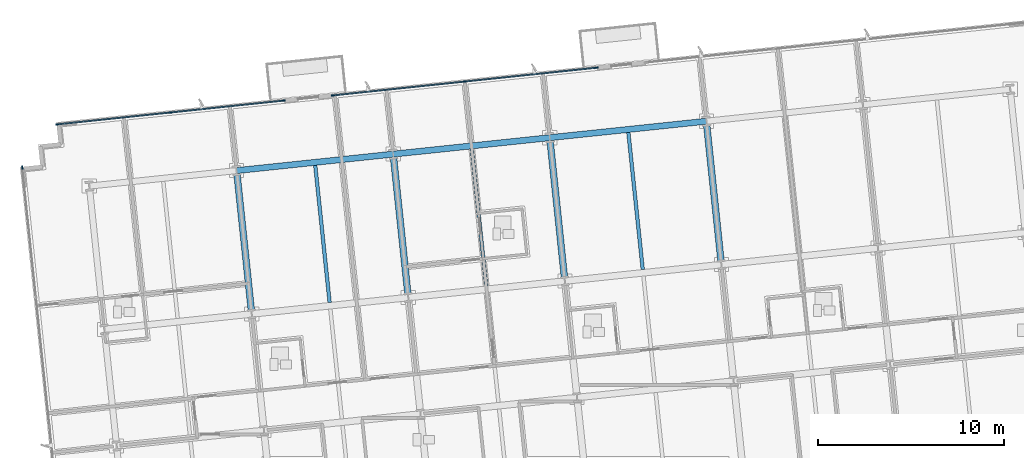
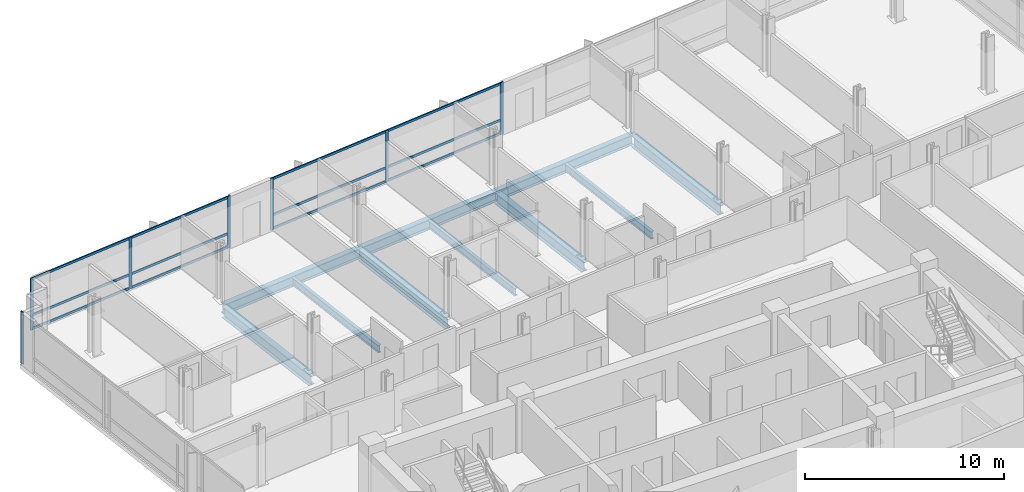
# One storey, part 7 of 19: 19 members, 10 beams, 3 elements without a shape of their own.
"""IFC4 building model written with IfcOpenShell, lengths in metres."""

from ifc_helpers import new_model, si_unit, direction, frame, origin, origin_2d, place, context, subcontext, project, spatial, rectangle, i_section, extrude, material, material_profile, profile_set, type_object, element, aggregate, save


model = new_model("IFC4")

# Units and contexts
model_context = context("Model", 3, precision=1e-05, world=origin(), true_north=direction((0.0, 1.0)))
body_context = subcontext(model_context, "Body", "Model", "MODEL_VIEW")
ifc_project = project(units=[si_unit("LENGTHUNIT", "METRE"), si_unit("AREAUNIT", "SQUARE_METRE"), si_unit("VOLUMEUNIT", "CUBIC_METRE"), si_unit("PLANEANGLEUNIT", "RADIAN"), si_unit("MASSUNIT", "GRAM", prefix="KILO")], contexts=[model_context])

# Site, building, storey
site_placement = place(None, origin())
site = spatial("IfcSite", under=ifc_project, at=site_placement, CompositionType="ELEMENT")
building_placement = place(site_placement, origin())
building = spatial("IfcBuilding", under=site, at=building_placement, Name="Solmavex Isthmus Hotel", CompositionType="ELEMENT")
storey_placement = place(building_placement, frame((0.0, 0.0, 83.550048828125)))
storey = spatial("IfcBuildingStorey", under=building, at=storey_placement, Name="L22", CompositionType="ELEMENT", Elevation=83.550048828125)

# Beams
ifc_material_1 = material(Name="Steel ASTM A992 Grade 50", Category="steel")
ifc_material_profile_1 = material_profile(ifc_material_1, i_section(OverallWidth=0.354736328125, OverallDepth=0.695556640625, WebThickness=0.015380859375, FlangeThickness=0.02490234375, FilletRadius=0.017822265625, at=origin_2d()), Name="W27X146")
ifc_profile_set_1 = profile_set([ifc_material_profile_1], Name="Steel ASTM A992 Grade 50")
beam_type_1 = type_object("IfcBeamType", Name="BM-BG-W27X146", PredefinedType="BEAM", material=ifc_profile_set_1)
for number, where, z_axis, x_axis, name in (
    (1, (-13.135498046875, 8.55859375, -0.60791015625), (-0.1045578893, 0.994518802128, 0.0), (-0.994518802128, -0.1045578893, 0.0), "Floor Beam L22-VG31"),
    (2, (-4.716064453125, 9.443603515625, -0.60791015625), (-0.104525307271, 0.994522227072, 0.0), (-0.994522227072, -0.104525307271, 0.0), "Floor Beam L22-VG35"),
):
    element("IfcBeam", number, at=place(storey_placement, frame(where, z_axis=z_axis, x_axis=x_axis)), inside=storey, type_object=beam_type_1, Name=name, PredefinedType="BEAM", context=body_context, shape_type="SweptSolid", body=[
        extrude(i_section(OverallWidth=0.354736328125, OverallDepth=0.695556640625, WebThickness=0.015380859375, FlangeThickness=0.02490234375, FilletRadius=0.017822265625, at=origin_2d()), origin(), (0.0, 0.0, 1.0), 7.4111328125),
    ])
beam_1_placement = place(storey_placement, frame((3.70361328125, 10.328369140625, -0.60791015625), z_axis=(-0.10452188296, 0.994522586964, 0.0), x_axis=(-0.994522586964, -0.10452188296, 0.0)))
element("IfcBeam", 3, at=beam_1_placement, inside=storey, type_object=beam_type_1, Name="Floor Beam L22-VG39", PredefinedType="BEAM", context=body_context, shape_type="SweptSolid", body=[
    extrude(i_section(OverallWidth=0.354736328125, OverallDepth=0.695556640625, WebThickness=0.015380859375, FlangeThickness=0.02490234375, FilletRadius=0.017822265625, at=origin_2d()), origin(), (0.0, 0.0, 1.0), 7.411376953125),
])
beam_2_placement = place(storey_placement, frame((12.123291015625, 11.21337890625, -0.60791015625), z_axis=(-0.104525307271, 0.994522227072, 0.0), x_axis=(-0.994522227072, -0.104525307271, 0.0)))
element("IfcBeam", 4, at=beam_2_placement, inside=storey, type_object=beam_type_1, Name="Floor Beam L22-VG42", PredefinedType="BEAM", context=body_context, shape_type="SweptSolid", body=[
    extrude(i_section(OverallWidth=0.354736328125, OverallDepth=0.695556640625, WebThickness=0.015380859375, FlangeThickness=0.02490234375, FilletRadius=0.017822265625, at=origin_2d()), origin(), (0.0, 0.0, 1.0), 7.4111328125),
])
ifc_material_profile_2 = material_profile(ifc_material_1, i_section(OverallWidth=0.1904296875, OverallDepth=0.456787109375, WebThickness=0.009033203125, FlangeThickness=0.014404296875, FilletRadius=0.0126953125, at=origin_2d()), Name="W18X50")
ifc_profile_set_2 = profile_set([ifc_material_profile_2], Name="Steel ASTM A992 Grade 50")
beam_type_2 = type_object("IfcBeamType", Name="BM-BJ-W18X50", PredefinedType="JOIST", material=ifc_profile_set_2)
beam_3_placement = place(storey_placement, frame((-8.92578125, 9.0009765625, -0.488525390625), z_axis=(-0.10452188296, 0.994522586964, 0.0), x_axis=(-0.994522586964, -0.10452188296, 0.0)))
element("IfcBeam", 5, at=beam_3_placement, inside=storey, type_object=beam_type_2, Name="Secondary Floor Joist L22-J08", PredefinedType="JOIST", context=body_context, shape_type="SweptSolid", body=[
    extrude(i_section(OverallWidth=0.1904296875, OverallDepth=0.456787109375, WebThickness=0.009033203125, FlangeThickness=0.014404296875, FilletRadius=0.0126953125, at=origin_2d()), origin(), (0.0, 0.0, 1.0), 7.411376953125),
])
for number, where, z_axis, x_axis, name in (
    (6, (-0.506103515625, 9.885986328125, -0.488525390625), (-0.104525307271, 0.994522227072, 0.0), (-0.994522227072, -0.104525307271, 0.0), "Secondary Floor Joist L22-J12"),
    (7, (7.913330078125, 10.77099609375, -0.488525390625), (-0.104525307271, 0.994522227072, 0.0), (-0.994522227072, -0.104525307271, 0.0), "Secondary Floor Joist L22-J15"),
):
    element("IfcBeam", number, at=place(storey_placement, frame(where, z_axis=z_axis, x_axis=x_axis)), inside=storey, type_object=beam_type_2, Name=name, PredefinedType="JOIST", context=body_context, shape_type="SweptSolid", body=[
        extrude(i_section(OverallWidth=0.1904296875, OverallDepth=0.456787109375, WebThickness=0.009033203125, FlangeThickness=0.014404296875, FilletRadius=0.0126953125, at=origin_2d()), origin(), (0.0, 0.0, 1.0), 7.4111328125),
    ])
ifc_material_profile_3 = material_profile(ifc_material_1, i_section(OverallWidth=0.326416015625, OverallDepth=0.621826171875, WebThickness=0.015380859375, FlangeThickness=0.0244140625, FilletRadius=0.01513671875, at=origin_2d()), Name="W24X131")
ifc_profile_set_3 = profile_set([ifc_material_profile_3], Name="Steel ASTM A992 Grade 50")
beam_type_3 = type_object("IfcBeamType", Name="BM-SP-W24X131", PredefinedType="SPANDREL", material=ifc_profile_set_3)
for number, where, z_axis, x_axis, name in (
    (8, (-13.927490234375, 16.091552734375, -0.571044921875), (0.994521085209, 0.104536171134, 0.0), (-0.104536171134, 0.994521085209, 0.0), "Floor Girder L22-UG20"),
    (9, (-5.5078125, 16.9765625, -0.571044921875), (0.994521085209, 0.104536171134, 0.0), (-0.104536171134, 0.994521085209, 0.0), "Floor Girder L22-UG21"),
    (10, (2.911865234375, 17.861572265625, -0.571044921875), (0.994521085209, 0.104536171134, 0.0), (-0.104536171134, 0.994521085209, 0.0), "Floor Girder L22-UG22"),
):
    element("IfcBeam", number, at=place(storey_placement, frame(where, z_axis=z_axis, x_axis=x_axis)), inside=storey, type_object=beam_type_3, Name=name, PredefinedType="SPANDREL", context=body_context, shape_type="SweptSolid", body=[
        extrude(i_section(OverallWidth=0.326416015625, OverallDepth=0.621826171875, WebThickness=0.015380859375, FlangeThickness=0.0244140625, FilletRadius=0.01513671875, at=origin_2d()), origin(), (0.0, 0.0, 1.0), 8.466064453125),
    ])

# Curtain wall, members
ifc_material_2 = material(Name="Aluminium alloy 6063-T6", Category="aluminium")
curtain_wall_type = type_object("IfcCurtainWallType", Name="CW-SYS-03", PredefinedType="NOTDEFINED", material=ifc_material_2)
curtain_wall_1_placement = place(storey_placement, origin())
curtain_wall_1 = element("IfcCurtainWall", 11, at=curtain_wall_1_placement, inside=storey, type_object=curtain_wall_type, Name="Stick Curtain Wall CWL-L22-N1", PredefinedType="NOTDEFINED")
ifc_material_profile_4 = material_profile(ifc_material_2, rectangle(XDim=0.070068359375, YDim=0.179931640625, at=origin_2d()), Name="CWM-70X180")
ifc_profile_set_4 = profile_set([ifc_material_profile_4], Name="Aluminium alloy 6063-T6")
member_type_1 = type_object("IfcMemberType", Name="CW-SYS-03-MUL", PredefinedType="MULLION", material=ifc_profile_set_4)
member_1_placement = place(storey_placement, frame((-23.572998046875, 18.5771484375, 0.0), z_axis=(0.0, 0.0, 1.0), x_axis=(-0.104528123665, 0.994521931062, 0.0)))
member_1 = element("IfcMember", 12, at=member_1_placement, type_object=member_type_1, Name="CW-03 mullion 1", PredefinedType="MULLION", context=body_context, shape_type="SweptSolid", body=[
    extrude(rectangle(XDim=0.070068359375, YDim=0.179931640625, at=origin_2d()), origin(), (0.0, 0.0, 1.0), 3.18994140625),
])
member_2_placement = place(storey_placement, frame((-17.490966796875, 19.21630859375, 0.0), z_axis=(0.0, 0.0, 1.0), x_axis=(-0.104528123665, 0.994521931062, 0.0)))
member_2 = element("IfcMember", 13, at=member_2_placement, type_object=member_type_1, Name="CW-03 mullion 2", PredefinedType="MULLION", context=body_context, shape_type="SweptSolid", body=[
    extrude(rectangle(XDim=0.070068359375, YDim=0.179931640625, at=origin_2d()), origin(), (0.0, 0.0, 1.0), 3.18994140625),
])
member_3_placement = place(storey_placement, frame((-11.408935546875, 19.85546875, 0.0), z_axis=(0.0, 0.0, 1.0), x_axis=(-0.104528123665, 0.994521931062, 0.0)))
member_3 = element("IfcMember", 14, at=member_3_placement, type_object=member_type_1, Name="CW-03 mullion 3", PredefinedType="MULLION", context=body_context, shape_type="SweptSolid", body=[
    extrude(rectangle(XDim=0.070068359375, YDim=0.179931640625, at=origin_2d()), origin(), (0.0, 0.0, 1.0), 3.18994140625),
])

curtain_wall_2_placement = place(storey_placement, origin())
curtain_wall_2 = element("IfcCurtainWall", 15, at=curtain_wall_2_placement, inside=storey, type_object=curtain_wall_type, Name="Stick Curtain Wall CWL-L22-N2", PredefinedType="NOTDEFINED")
member_4_placement = place(storey_placement, frame((-8.753662109375, 20.134521484375, 0.0), z_axis=(0.0, 0.0, 1.0), x_axis=(-0.104528313766, 0.994521911082, 0.0)))
member_4 = element("IfcMember", 16, at=member_4_placement, type_object=member_type_1, Name="CW-03 mullion 1", PredefinedType="MULLION", context=body_context, shape_type="SweptSolid", body=[
    extrude(rectangle(XDim=0.070068359375, YDim=0.179931640625, at=origin_2d()), origin(), (0.0, 0.0, 1.0), 3.18994140625),
])
member_5_placement = place(storey_placement, frame((-1.66162109375, 20.8798828125, 0.0), z_axis=(0.0, 0.0, 1.0), x_axis=(-0.104528313766, 0.994521911082, 0.0)))
member_5 = element("IfcMember", 17, at=member_5_placement, type_object=member_type_1, Name="CW-03 mullion 2", PredefinedType="MULLION", context=body_context, shape_type="SweptSolid", body=[
    extrude(rectangle(XDim=0.070068359375, YDim=0.179931640625, at=origin_2d()), origin(), (0.0, 0.0, 1.0), 3.18994140625),
])
member_6_placement = place(storey_placement, frame((5.43017578125, 21.62548828125, 0.0), z_axis=(0.0, 0.0, 1.0), x_axis=(-0.104528313766, 0.994521911082, 0.0)))
member_6 = element("IfcMember", 18, at=member_6_placement, type_object=member_type_1, Name="CW-03 mullion 3", PredefinedType="MULLION", context=body_context, shape_type="SweptSolid", body=[
    extrude(rectangle(XDim=0.070068359375, YDim=0.179931640625, at=origin_2d()), origin(), (0.0, 0.0, 1.0), 3.18994140625),
])

# Curtain wall, member
curtain_wall_3_placement = place(storey_placement, origin())
curtain_wall_3 = element("IfcCurtainWall", 19, at=curtain_wall_3_placement, inside=storey, type_object=curtain_wall_type, Name="Stick Curtain Wall CWL-L22-W1", PredefinedType="NOTDEFINED")
member_7_placement = place(storey_placement, frame((-25.455322265625, 16.25244140625, 0.0), z_axis=(0.0, 0.0, 1.0), x_axis=(-0.994521893044, -0.104528485381, 0.0)))
member_7 = element("IfcMember", 20, at=member_7_placement, type_object=member_type_1, Name="CW-03 mullion 6", PredefinedType="MULLION", context=body_context, shape_type="SweptSolid", body=[
    extrude(rectangle(XDim=0.070068359375, YDim=0.179931640625, at=origin_2d()), origin(), (0.0, 0.0, 1.0), 3.18994140625),
])
aggregate(curtain_wall_3, [member_7])

# Member
ifc_material_profile_5 = material_profile(ifc_material_2, rectangle(XDim=0.070068359375, YDim=0.139892578125, at=origin_2d()), Name="CWT-70X140")
ifc_profile_set_5 = profile_set([ifc_material_profile_5], Name="Aluminium alloy 6063-T6")
member_type_2 = type_object("IfcMemberType", Name="CW-SYS-03-TRN", PredefinedType="USERDEFINED", material=ifc_profile_set_5)
member_8_placement = place(storey_placement, frame((-23.5380859375, 18.58056640625, 0.070068359375), z_axis=(0.994518943174, 0.104556547709, 0.0), x_axis=(-0.104556547709, 0.994518943174, 0.0)))
member_8 = element("IfcMember", 21, at=member_8_placement, type_object=member_type_2, Name="CW-03 transom 1.1", ObjectType="TRANSOM", PredefinedType="USERDEFINED", context=body_context, shape_type="SweptSolid", body=[
    extrude(rectangle(XDim=0.070068359375, YDim=0.139892578125, at=origin_2d()), origin(), (0.0, 0.0, 1.0), 6.04541015625),
])

member_9_placement = place(storey_placement, frame((-23.5380859375, 18.58056640625, 0.89990234375), z_axis=(0.994518943174, 0.104556547709, 0.0), x_axis=(-0.104556547709, 0.994518943174, 0.0)))
member_9 = element("IfcMember", 22, at=member_9_placement, type_object=member_type_2, Name="CW-03 transom 1.2", ObjectType="TRANSOM", PredefinedType="USERDEFINED", context=body_context, shape_type="SweptSolid", body=[
    extrude(rectangle(XDim=0.070068359375, YDim=0.139892578125, at=origin_2d()), origin(), (0.0, 0.0, 1.0), 6.04541015625),
])

member_10_placement = place(storey_placement, frame((-23.5380859375, 18.58056640625, 3.119873046875), z_axis=(0.994518943174, 0.104556547709, 0.0), x_axis=(-0.104556547709, 0.994518943174, 0.0)))
member_10 = element("IfcMember", 23, at=member_10_placement, type_object=member_type_2, Name="CW-03 transom 1.3", ObjectType="TRANSOM", PredefinedType="USERDEFINED", context=body_context, shape_type="SweptSolid", body=[
    extrude(rectangle(XDim=0.070068359375, YDim=0.139892578125, at=origin_2d()), origin(), (0.0, 0.0, 1.0), 6.04541015625),
])

member_11_placement = place(storey_placement, frame((-17.456298828125, 19.219970703125, 0.070068359375), z_axis=(0.994523582882, 0.104512406403, 0.0), x_axis=(-0.104512406403, 0.994523582882, 0.0)))
member_11 = element("IfcMember", 24, at=member_11_placement, type_object=member_type_2, Name="CW-03 transom 2.1", ObjectType="TRANSOM", PredefinedType="USERDEFINED", context=body_context, shape_type="SweptSolid", body=[
    extrude(rectangle(XDim=0.070068359375, YDim=0.139892578125, at=origin_2d()), origin(), (0.0, 0.0, 1.0), 6.045654296875),
])

member_12_placement = place(storey_placement, frame((-17.456298828125, 19.219970703125, 0.89990234375), z_axis=(0.994523582882, 0.104512406403, 0.0), x_axis=(-0.104512406403, 0.994523582882, 0.0)))
member_12 = element("IfcMember", 25, at=member_12_placement, type_object=member_type_2, Name="CW-03 transom 2.2", ObjectType="TRANSOM", PredefinedType="USERDEFINED", context=body_context, shape_type="SweptSolid", body=[
    extrude(rectangle(XDim=0.070068359375, YDim=0.139892578125, at=origin_2d()), origin(), (0.0, 0.0, 1.0), 6.045654296875),
])

member_13_placement = place(storey_placement, frame((-17.456298828125, 19.219970703125, 3.119873046875), z_axis=(0.994523582882, 0.104512406403, 0.0), x_axis=(-0.104512406403, 0.994523582882, 0.0)))
member_13 = element("IfcMember", 26, at=member_13_placement, type_object=member_type_2, Name="CW-03 transom 2.3", ObjectType="TRANSOM", PredefinedType="USERDEFINED", context=body_context, shape_type="SweptSolid", body=[
    extrude(rectangle(XDim=0.070068359375, YDim=0.139892578125, at=origin_2d()), origin(), (0.0, 0.0, 1.0), 6.045654296875),
])

aggregate(curtain_wall_1, [member_1, member_2, member_3, member_8, member_9, member_10, member_11, member_12, member_13])

member_14_placement = place(storey_placement, frame((-8.71875, 20.13818359375, 0.070068359375), z_axis=(0.994522301958, 0.104524594751, 0.0), x_axis=(-0.104524594751, 0.994522301958, 0.0)))
member_14 = element("IfcMember", 27, at=member_14_placement, type_object=member_type_2, Name="CW-03 transom 1.1", ObjectType="TRANSOM", PredefinedType="USERDEFINED", context=body_context, shape_type="SweptSolid", body=[
    extrude(rectangle(XDim=0.070068359375, YDim=0.139892578125, at=origin_2d()), origin(), (0.0, 0.0, 1.0), 7.060791015625),
])

member_15_placement = place(storey_placement, frame((-8.71875, 20.13818359375, 0.89990234375), z_axis=(0.994522301958, 0.104524594751, 0.0), x_axis=(-0.104524594751, 0.994522301958, 0.0)))
member_15 = element("IfcMember", 28, at=member_15_placement, type_object=member_type_2, Name="CW-03 transom 1.2", ObjectType="TRANSOM", PredefinedType="USERDEFINED", context=body_context, shape_type="SweptSolid", body=[
    extrude(rectangle(XDim=0.070068359375, YDim=0.139892578125, at=origin_2d()), origin(), (0.0, 0.0, 1.0), 7.060791015625),
])

member_16_placement = place(storey_placement, frame((-8.71875, 20.13818359375, 3.119873046875), z_axis=(0.994522301958, 0.104524594751, 0.0), x_axis=(-0.104524594751, 0.994522301958, 0.0)))
member_16 = element("IfcMember", 29, at=member_16_placement, type_object=member_type_2, Name="CW-03 transom 1.3", ObjectType="TRANSOM", PredefinedType="USERDEFINED", context=body_context, shape_type="SweptSolid", body=[
    extrude(rectangle(XDim=0.070068359375, YDim=0.139892578125, at=origin_2d()), origin(), (0.0, 0.0, 1.0), 7.060791015625),
])

member_17_placement = place(storey_placement, frame((-1.626953125, 20.883544921875, 0.070068359375), z_axis=(0.994519085079, 0.104555197931, 0.0), x_axis=(-0.104555197931, 0.994519085079, 0.0)))
member_17 = element("IfcMember", 30, at=member_17_placement, type_object=member_type_2, Name="CW-03 transom 2.1", ObjectType="TRANSOM", PredefinedType="USERDEFINED", context=body_context, shape_type="SweptSolid", body=[
    extrude(rectangle(XDim=0.070068359375, YDim=0.139892578125, at=origin_2d()), origin(), (0.0, 0.0, 1.0), 7.061279296875),
])

member_18_placement = place(storey_placement, frame((-1.626953125, 20.883544921875, 0.89990234375), z_axis=(0.994519085079, 0.104555197931, 0.0), x_axis=(-0.104555197931, 0.994519085079, 0.0)))
member_18 = element("IfcMember", 31, at=member_18_placement, type_object=member_type_2, Name="CW-03 transom 2.2", ObjectType="TRANSOM", PredefinedType="USERDEFINED", context=body_context, shape_type="SweptSolid", body=[
    extrude(rectangle(XDim=0.070068359375, YDim=0.139892578125, at=origin_2d()), origin(), (0.0, 0.0, 1.0), 7.061279296875),
])

member_19_placement = place(storey_placement, frame((-1.626953125, 20.883544921875, 3.119873046875), z_axis=(0.994519085079, 0.104555197931, 0.0), x_axis=(-0.104555197931, 0.994519085079, 0.0)))
member_19 = element("IfcMember", 32, at=member_19_placement, type_object=member_type_2, Name="CW-03 transom 2.3", ObjectType="TRANSOM", PredefinedType="USERDEFINED", context=body_context, shape_type="SweptSolid", body=[
    extrude(rectangle(XDim=0.070068359375, YDim=0.139892578125, at=origin_2d()), origin(), (0.0, 0.0, 1.0), 7.061279296875),
])

aggregate(curtain_wall_2, [member_4, member_5, member_6, member_14, member_15, member_16, member_17, member_18, member_19])

save(model, "model.ifc")
